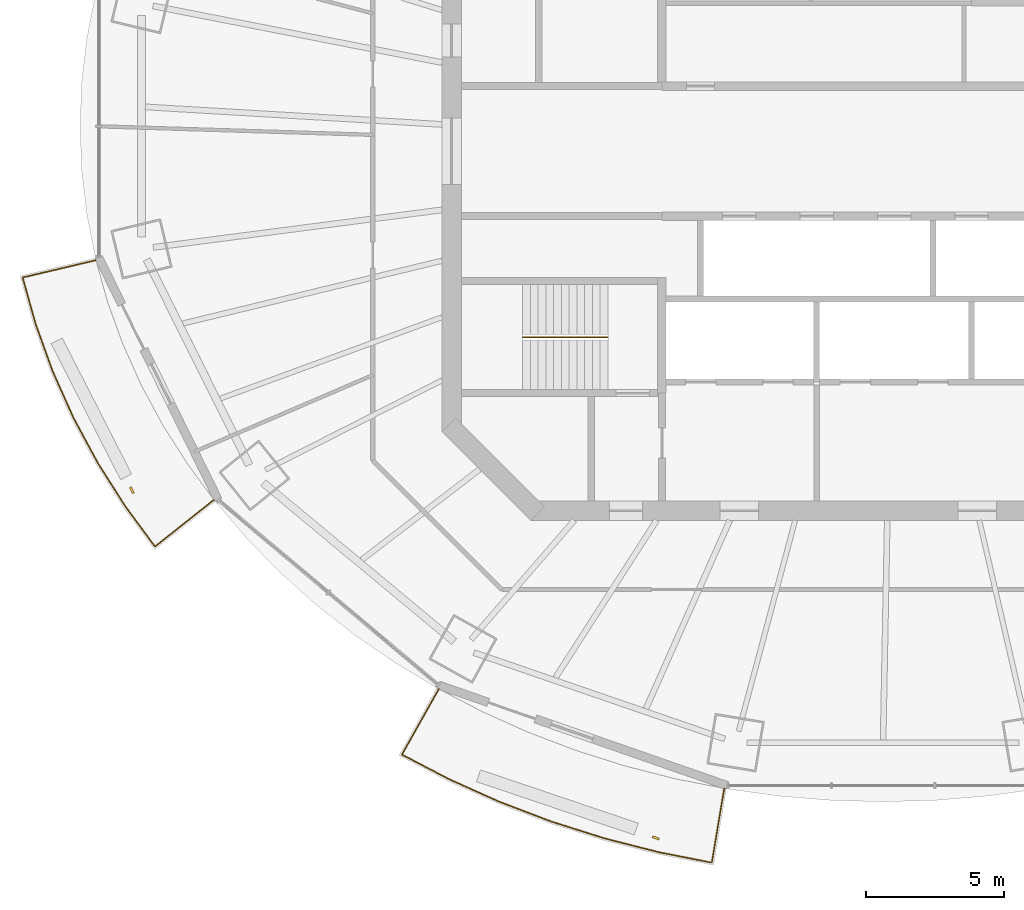
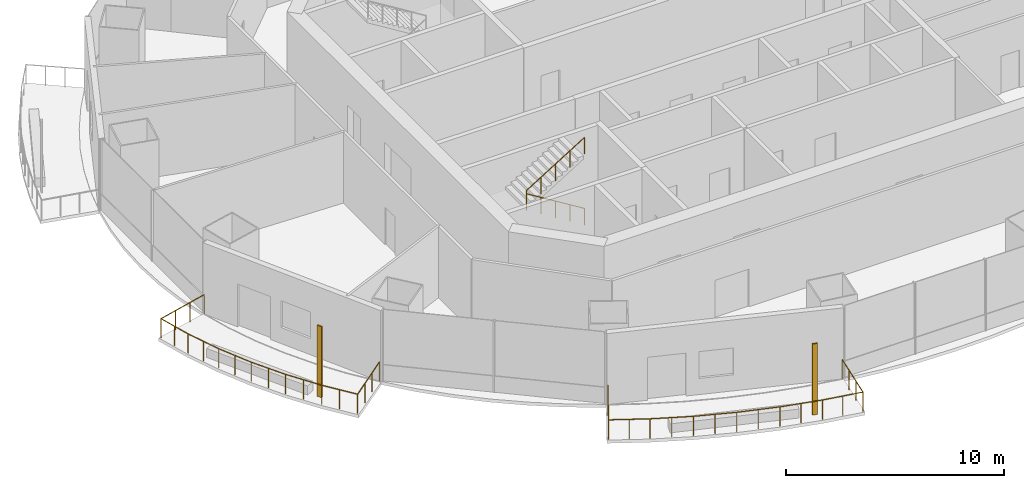
# One storey, part 12 of 16: 3 railings, 2 shading devices.
"""IFC4 building model written with IfcOpenShell, lengths in metres."""

from ifc_helpers import new_model, si_unit, direction, frame, origin, origin_2d, place, context, subcontext, project, spatial, rectangle, circle, extrude, material, material_profile, profile_set, type_object, element, save


model = new_model("IFC4")

# Units and contexts
model_context = context("Model", 3, precision=1e-05, world=origin(), true_north=direction((0.0, 1.0)))
body_context = subcontext(model_context, "Body", "Model", "MODEL_VIEW")
ifc_project = project(units=[si_unit("LENGTHUNIT", "METRE"), si_unit("AREAUNIT", "SQUARE_METRE"), si_unit("VOLUMEUNIT", "CUBIC_METRE"), si_unit("PLANEANGLEUNIT", "RADIAN"), si_unit("MASSUNIT", "GRAM", prefix="KILO")], contexts=[model_context])

# Site, building, storey
site_placement = place(None, origin())
site = spatial("IfcSite", under=ifc_project, at=site_placement, CompositionType="ELEMENT")
building_placement = place(site_placement, origin())
building = spatial("IfcBuilding", under=site, at=building_placement, Name="Marenthal Gate Tower", CompositionType="ELEMENT")
storey_placement = place(building_placement, frame((0.0, 0.0, 292.800048828125)))
storey = spatial("IfcBuildingStorey", under=building, at=storey_placement, Name="L65", CompositionType="ELEMENT", Elevation=292.800048828125)

# Railings
ifc_material_1 = material(Name="Stainless steel", Category="steel")
railing_type_1 = type_object("IfcRailingType", Name="Balcony guard 1100", PredefinedType="GUARDRAIL", material=ifc_material_1)
railing_1_placement = place(storey_placement, frame((-24.593994140625, -12.60595703125, 0.0)))
element("IfcRailing", 1, at=railing_1_placement, inside=storey, type_object=railing_type_1, Name="Balcony guard L65 bay 9", PredefinedType="GUARDRAIL", context=body_context, shape_type="SweptSolid", body=[
    extrude(circle(Radius=0.02392578125, at=origin_2d()), frame((0.0, 0.0, 1.076171875), z_axis=(-0.783212380728, -0.621580033106, -0.014718325936), x_axis=(0.621647370214, -0.783297227817, 0.0)), (0.0, 0.0, 1.0), 2.720458984375),
    extrude(circle(Radius=0.02392578125, at=origin_2d()), frame((-2.130615234375, -1.69091796875, 1.0361328125), z_axis=(-0.593175870863, 0.805072907398, 0.0), x_axis=(-0.805072907398, -0.593175870863, 0.0)), (0.0, 0.0, 1.0), 1.79736328125),
    extrude(circle(Radius=0.02392578125, at=origin_2d()), frame((-3.19677734375, -0.243896484375, 1.0361328125), z_axis=(-0.536341470097, 0.844001082614, 0.0), x_axis=(-0.844001082614, -0.536341470097, 0.0)), (0.0, 0.0, 1.0), 1.864013671875),
    extrude(circle(Radius=0.02392578125, at=origin_2d()), frame((-4.196533203125, 1.329345703125, 1.0361328125), z_axis=(-0.474178476771, 0.880428743379, 0.0), x_axis=(-0.880428743379, -0.474178476771, 0.0)), (0.0, 0.0, 1.0), 1.85107421875),
    extrude(circle(Radius=0.02392578125, at=origin_2d()), frame((-5.07421875, 2.958984375, 1.0361328125), z_axis=(-0.408427160426, 0.912790915066, 0.0), x_axis=(-0.912790915066, -0.408427160426, 0.0)), (0.0, 0.0, 1.0), 1.83984375),
    extrude(circle(Radius=0.02392578125, at=origin_2d()), frame((-5.82568359375, 4.638427734375, 1.0361328125), z_axis=(-0.339224848664, 0.94070532158, 0.0), x_axis=(-0.94070532158, -0.339224848664, 0.0)), (0.0, 0.0, 1.0), 1.830322265625),
    extrude(circle(Radius=0.02392578125, at=origin_2d()), frame((-6.446533203125, 6.360107421875, 1.0361328125), z_axis=(-0.268792920524, 0.963197988929, 0.0), x_axis=(-0.963197988929, -0.268792920524, 0.0)), (0.0, 0.0, 1.0), 1.7421875),
    extrude(circle(Radius=0.02392578125, at=origin_2d()), frame((-6.914794921875, 8.0380859375, 1.0361328125), z_axis=(0.973117172157, 0.229839811666, 0.014718363574), x_axis=(-0.229864710837, 0.973222592582, 0.0)), (0.0, 0.0, 1.0), 2.720458984375),
    extrude(circle(Radius=0.02099609375, at=origin_2d()), origin(), (0.0, 0.0, 1.0), 1.052001953125),
    extrude(circle(Radius=0.02099609375, at=origin_2d()), frame((-0.710205078125, -0.563720703125, -0.013427734375)), (0.0, 0.0, 1.0), 1.052001953125),
    extrude(circle(Radius=0.02099609375, at=origin_2d()), frame((-1.42041015625, -1.127197265625, -0.026611328125)), (0.0, 0.0, 1.0), 1.052001953125),
    extrude(circle(Radius=0.02099609375, at=origin_2d()), frame((-2.130615234375, -1.69091796875, -0.0400390625)), (0.0, 0.0, 1.0), 1.052001953125),
    extrude(circle(Radius=0.02099609375, at=origin_2d()), frame((-2.66357421875, -0.96728515625, -0.0400390625)), (0.0, 0.0, 1.0), 1.052001953125),
    extrude(circle(Radius=0.02099609375, at=origin_2d()), frame((-3.19677734375, -0.243896484375, -0.0400390625)), (0.0, 0.0, 1.0), 1.052001953125),
    extrude(circle(Radius=0.02099609375, at=origin_2d()), frame((-3.69677734375, 0.542724609375, -0.0400390625)), (0.0, 0.0, 1.0), 1.052001953125),
    extrude(circle(Radius=0.02099609375, at=origin_2d()), frame((-4.196533203125, 1.329345703125, -0.0400390625)), (0.0, 0.0, 1.0), 1.052001953125),
    extrude(circle(Radius=0.02099609375, at=origin_2d()), frame((-4.63525390625, 2.14404296875, -0.0400390625)), (0.0, 0.0, 1.0), 1.052001953125),
    extrude(circle(Radius=0.02099609375, at=origin_2d()), frame((-5.07421875, 2.958984375, -0.0400390625)), (0.0, 0.0, 1.0), 1.052001953125),
    extrude(circle(Radius=0.02099609375, at=origin_2d()), frame((-5.449951171875, 3.798828125, -0.0400390625)), (0.0, 0.0, 1.0), 1.052001953125),
    extrude(circle(Radius=0.02099609375, at=origin_2d()), frame((-5.82568359375, 4.638427734375, -0.0400390625)), (0.0, 0.0, 1.0), 1.052001953125),
    extrude(circle(Radius=0.02099609375, at=origin_2d()), frame((-6.13623046875, 5.499267578125, -0.0400390625)), (0.0, 0.0, 1.0), 1.052001953125),
    extrude(circle(Radius=0.02099609375, at=origin_2d()), frame((-6.446533203125, 6.360107421875, -0.0400390625)), (0.0, 0.0, 1.0), 1.052001953125),
    extrude(circle(Radius=0.02099609375, at=origin_2d()), frame((-6.6806640625, 7.19921875, -0.0400390625)), (0.0, 0.0, 1.0), 1.052001953125),
    extrude(circle(Radius=0.02099609375, at=origin_2d()), frame((-6.914794921875, 8.0380859375, -0.0400390625)), (0.0, 0.0, 1.0), 1.052001953125),
    extrude(circle(Radius=0.02099609375, at=origin_2d()), frame((-6.032470703125, 8.24658203125, -0.026611328125)), (0.0, 0.0, 1.0), 1.052001953125),
    extrude(circle(Radius=0.02099609375, at=origin_2d()), frame((-5.14990234375, 8.454833984375, -0.013427734375)), (0.0, 0.0, 1.0), 1.052001953125),
    extrude(circle(Radius=0.02099609375, at=origin_2d()), frame((-4.267578125, 8.663330078125, 0.0)), (0.0, 0.0, 1.0), 1.052001953125),
])
railing_2_placement = place(storey_placement, frame((-6.143798828125, -23.04052734375, 0.0)))
element("IfcRailing", 2, at=railing_2_placement, inside=storey, type_object=railing_type_1, Name="Balcony guard L65 bay 11", PredefinedType="GUARDRAIL", context=body_context, shape_type="SweptSolid", body=[
    extrude(circle(Radius=0.02392578125, at=origin_2d()), frame((0.0, 0.0, 1.076171875), z_axis=(-0.16513793129, -0.986160646201, -0.014718815615), x_axis=(0.986267486225, -0.165155822229, 0.0)), (0.0, 0.0, 1.0), 2.72021484375),
    extrude(circle(Radius=0.02392578125, at=origin_2d()), frame((-0.44921875, -2.6826171875, 1.0361328125), z_axis=(-0.981099886126, 0.193501972712, 0.0), x_axis=(-0.193501972712, -0.981099886126, 0.0)), (0.0, 0.0, 1.0), 1.958251953125),
    extrude(circle(Radius=0.02392578125, at=origin_2d()), frame((-2.370361328125, -2.3037109375, 1.0361328125), z_axis=(-0.968956946338, 0.24722952118, 0.0), x_axis=(-0.24722952118, -0.968956946338, 0.0)), (0.0, 0.0, 1.0), 2.0302734375),
    extrude(circle(Radius=0.02392578125, at=origin_2d()), frame((-4.337646484375, -1.8017578125, 1.0361328125), z_axis=(-0.953335850503, 0.301911835054, 0.0), x_axis=(-0.301911835054, -0.953335850503, 0.0)), (0.0, 0.0, 1.0), 2.020751953125),
    extrude(circle(Radius=0.02392578125, at=origin_2d()), frame((-6.26416015625, -1.191650390625, 1.0361328125), z_axis=(-0.934433846475, 0.356136752614, 0.0), x_axis=(-0.356136752614, -0.934433846475, 0.0)), (0.0, 0.0, 1.0), 2.010009765625),
    extrude(circle(Radius=0.02392578125, at=origin_2d()), frame((-8.142333984375, -0.475830078125, 1.0361328125), z_axis=(-0.912054102505, 0.410069889293, 0.0), x_axis=(-0.410069889293, -0.912054102505, 0.0)), (0.0, 0.0, 1.0), 1.99755859375),
    extrude(circle(Radius=0.02392578125, at=origin_2d()), frame((-9.964111328125, 0.34326171875, 1.0361328125), z_axis=(-0.886708263063, 0.462329380654, 0.0), x_axis=(-0.462329380654, -0.886708263063, 0.0)), (0.0, 0.0, 1.0), 1.904296875),
    extrude(circle(Radius=0.02392578125, at=origin_2d()), frame((-11.652587890625, 1.2236328125, 1.0361328125), z_axis=(0.490216651265, 0.871476324383, 0.014719064593), x_axis=(-0.871570742774, 0.490269762825, 0.0)), (0.0, 0.0, 1.0), 2.72021484375),
    extrude(circle(Radius=0.02099609375, at=origin_2d()), origin(), (0.0, 0.0, 1.0), 1.052001953125),
    extrude(circle(Radius=0.02099609375, at=origin_2d()), frame((-0.149658203125, -0.894287109375, -0.013427734375)), (0.0, 0.0, 1.0), 1.052001953125),
    extrude(circle(Radius=0.02099609375, at=origin_2d()), frame((-0.299560546875, -1.788330078125, -0.026611328125)), (0.0, 0.0, 1.0), 1.052001953125),
    extrude(circle(Radius=0.02099609375, at=origin_2d()), frame((-0.44921875, -2.6826171875, -0.0400390625)), (0.0, 0.0, 1.0), 1.052001953125),
    extrude(circle(Radius=0.02099609375, at=origin_2d()), frame((-1.40966796875, -2.4931640625, -0.0400390625)), (0.0, 0.0, 1.0), 1.052001953125),
    extrude(circle(Radius=0.02099609375, at=origin_2d()), frame((-2.370361328125, -2.3037109375, -0.0400390625)), (0.0, 0.0, 1.0), 1.052001953125),
    extrude(circle(Radius=0.02099609375, at=origin_2d()), frame((-3.35400390625, -2.052734375, -0.0400390625)), (0.0, 0.0, 1.0), 1.052001953125),
    extrude(circle(Radius=0.02099609375, at=origin_2d()), frame((-4.337646484375, -1.8017578125, -0.0400390625)), (0.0, 0.0, 1.0), 1.052001953125),
    extrude(circle(Radius=0.02099609375, at=origin_2d()), frame((-5.30078125, -1.49658203125, -0.0400390625)), (0.0, 0.0, 1.0), 1.052001953125),
    extrude(circle(Radius=0.02099609375, at=origin_2d()), frame((-6.26416015625, -1.191650390625, -0.0400390625)), (0.0, 0.0, 1.0), 1.052001953125),
    extrude(circle(Radius=0.02099609375, at=origin_2d()), frame((-7.203125, -0.833740234375, -0.0400390625)), (0.0, 0.0, 1.0), 1.052001953125),
    extrude(circle(Radius=0.02099609375, at=origin_2d()), frame((-8.142333984375, -0.475830078125, -0.0400390625)), (0.0, 0.0, 1.0), 1.052001953125),
    extrude(circle(Radius=0.02099609375, at=origin_2d()), frame((-9.05322265625, -0.06640625, -0.0400390625)), (0.0, 0.0, 1.0), 1.052001953125),
    extrude(circle(Radius=0.02099609375, at=origin_2d()), frame((-9.964111328125, 0.34326171875, -0.0400390625)), (0.0, 0.0, 1.0), 1.052001953125),
    extrude(circle(Radius=0.02099609375, at=origin_2d()), frame((-10.808349609375, 0.783447265625, -0.0400390625)), (0.0, 0.0, 1.0), 1.052001953125),
    extrude(circle(Radius=0.02099609375, at=origin_2d()), frame((-11.652587890625, 1.2236328125, -0.0400390625)), (0.0, 0.0, 1.0), 1.052001953125),
    extrude(circle(Radius=0.02099609375, at=origin_2d()), frame((-11.2080078125, 2.013916015625, -0.026611328125)), (0.0, 0.0, 1.0), 1.052001953125),
    extrude(circle(Radius=0.02099609375, at=origin_2d()), frame((-10.763671875, 2.803955078125, -0.013427734375)), (0.0, 0.0, 1.0), 1.052001953125),
    extrude(circle(Radius=0.02099609375, at=origin_2d()), frame((-10.319091796875, 3.59423828125, 0.0)), (0.0, 0.0, 1.0), 1.052001953125),
])
ifc_material_2 = material(Name="Stainless steel", Category="steel")
railing_type_2 = type_object("IfcRailingType", Name="Stair handrail", PredefinedType="HANDRAIL", material=ifc_material_2)
railing_3_placement = place(storey_placement, frame((-10.35009765625, -6.72509765625, 0.1728515625)))
element("IfcRailing", 3, at=railing_3_placement, inside=storey, type_object=railing_type_2, Name="Handrail ST2", PredefinedType="HANDRAIL", context=body_context, shape_type="SweptSolid", body=[
    extrude(circle(Radius=0.0224609375, at=origin_2d()), frame((0.0, 0.0, 0.927490234375), z_axis=(-0.850816621229, 0.0, 0.525462726595), x_axis=(0.0, -1.0, 0.0)), (0.0, 0.0, 1.0), 3.619873046875),
    extrude(circle(Radius=0.0224609375, at=origin_2d()), frame((-3.079833984375, 0.0, 2.82958984375), z_axis=(0.0, 0.0, 1.0), x_axis=(1.0, 0.0, 0.0)), (0.0, 0.0, 1.0), 0.1728515625),
    extrude(circle(Radius=0.0224609375, at=origin_2d()), frame((-3.079833984375, 0.0, 3.00244140625), z_axis=(0.850816621229, 0.0, 0.525462726595), x_axis=(0.0, 1.0, 0.0)), (0.0, 0.0, 1.0), 3.619873046875),
    extrude(circle(Radius=0.02001953125, at=origin_2d()), origin(), (0.0, 0.0, 1.0), 0.905029296875),
    extrude(circle(Radius=0.02001953125, at=origin_2d()), frame((-0.77001953125, 0.0, 0.4755859375)), (0.0, 0.0, 1.0), 0.905029296875),
    extrude(circle(Radius=0.02001953125, at=origin_2d()), frame((-1.5400390625, 0.0, 0.951171875)), (0.0, 0.0, 1.0), 0.905029296875),
    extrude(circle(Radius=0.02001953125, at=origin_2d()), frame((-2.309814453125, 0.0, 1.426513671875)), (0.0, 0.0, 1.0), 0.905029296875),
    extrude(circle(Radius=0.02001953125, at=origin_2d()), frame((-3.079833984375, 0.0, 1.902099609375)), (0.0, 0.0, 1.0), 0.905029296875),
    extrude(circle(Radius=0.02001953125, at=origin_2d()), frame((-3.079833984375, 0.0, 2.074951171875)), (0.0, 0.0, 1.0), 0.905029296875),
    extrude(circle(Radius=0.02001953125, at=origin_2d()), frame((-2.309814453125, 0.0, 2.550537109375)), (0.0, 0.0, 1.0), 0.905029296875),
    extrude(circle(Radius=0.02001953125, at=origin_2d()), frame((-1.5400390625, 0.0, 3.02587890625)), (0.0, 0.0, 1.0), 0.905029296875),
    extrude(circle(Radius=0.02001953125, at=origin_2d()), frame((-0.77001953125, 0.0, 3.50146484375)), (0.0, 0.0, 1.0), 0.905029296875),
    extrude(circle(Radius=0.02001953125, at=origin_2d()), frame((0.0, 0.0, 3.97705078125)), (0.0, 0.0, 1.0), 0.905029296875),
])

# Shading devices
ifc_material_3 = material(Name="Terracotta", Category="masonry")
ifc_material_profile = material_profile(ifc_material_3, rectangle(XDim=0.25, YDim=0.080078125, at=origin_2d()), Name="Terracotta baguette 250x80")
ifc_profile_set = profile_set([ifc_material_profile], Name="Terracotta")
shading_device_type = type_object("IfcShadingDeviceType", Name="Terracotta BAGUETTE SCREEN 250x80", PredefinedType="USERDEFINED", material=ifc_profile_set)
for number, where, z_axis, x_axis, name in (
    (4, (-27.560546875, -12.257080078125, -0.0400390625), (0.0, 0.0, 1.0), (0.441711416968, -0.897157190307, 0.0), "Terracotta BAGUETTE L65 bay 9R"),
    (5, (-8.619140625, -24.828125, -0.0400390625), (0.0, 0.0, 1.0), (0.944304873933, -0.329071884345, 0.0), "Terracotta BAGUETTE L65 bay 11R"),
):
    element("IfcShadingDevice", number, at=place(storey_placement, frame(where, z_axis=z_axis, x_axis=x_axis)), inside=storey, type_object=shading_device_type, Name=name, ObjectType="BAGUETTE SCREEN", PredefinedType="USERDEFINED", context=body_context, shape_type="SweptSolid", body=[
        extrude(rectangle(XDim=0.25, YDim=0.080078125, at=origin_2d()), origin(), (0.0, 0.0, 1.0), 3.969970703125),
    ])

save(model, "model.ifc")
